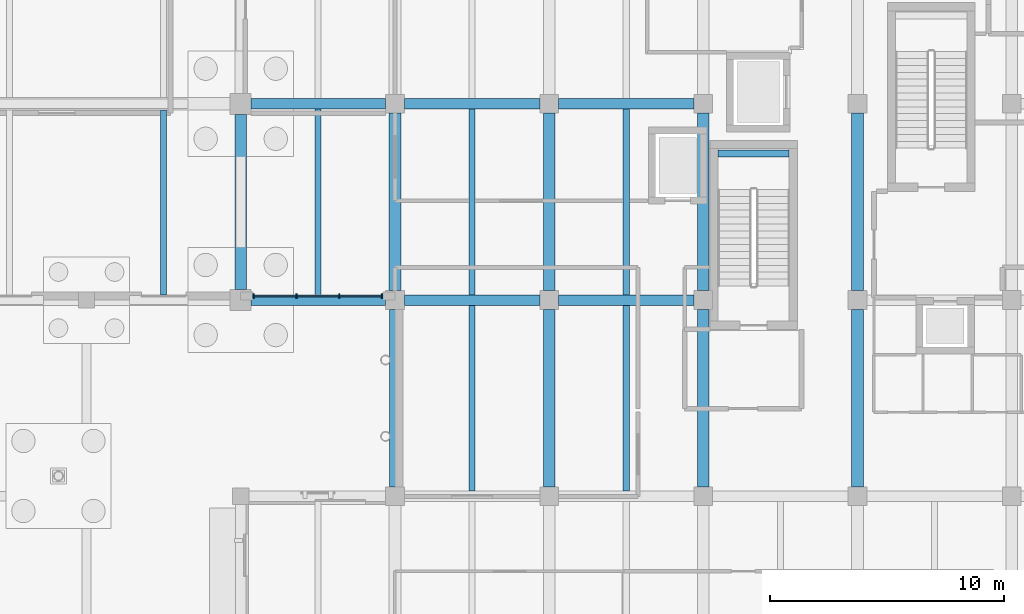
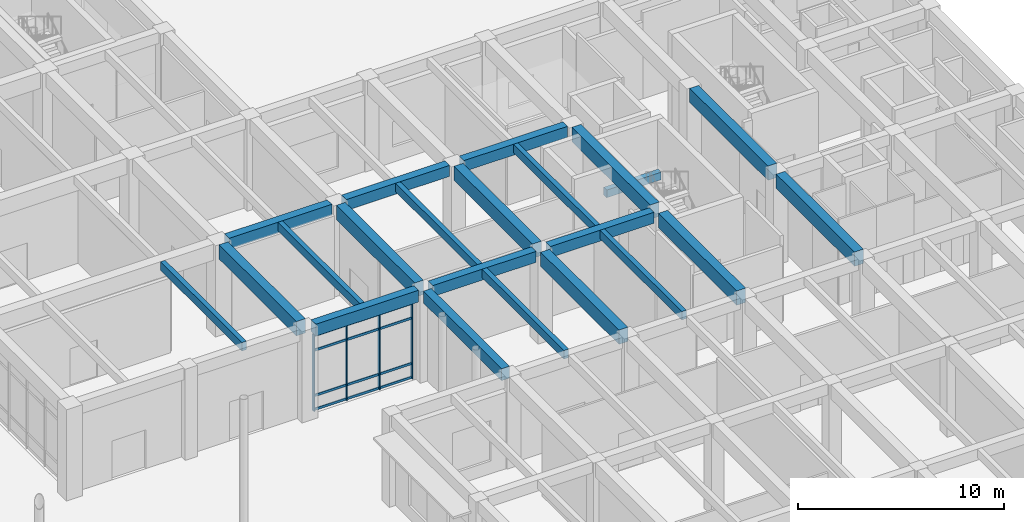
# One storey, part 37 of 82: 22 beams, 8 members, 1 element without a shape of its own.
"""IFC4 building model written with IfcOpenShell, lengths in metres."""

import ifcopenshell
import ifcopenshell.guid

model = None  # the IFC model being written
_history = None  # IfcOwnerHistory: only IFC2X3 demands one
_inside = {}  # id of a spatial element -> (the spatial element, [elements in it])
_under = {}  # id of a project, library or spatial element -> (it, [spatial elements below it])
_declared = {}  # id of a project -> (the project, [libraries it declares])
_typed = {}  # id of a type object -> (the type object, [elements of that type])
_made_of = {}  # id of a material, layer set ... -> (it, [elements and type objects made of it])


def new_model(schema):
    """Start an empty IFC model of exactly this schema.

    Asked for "IFC4X3", IfcOpenShell would pick the latest addendum, in which some entities
    have other attributes; the version numbers below select the first issue.
    IFC2X3 requires an IfcOwnerHistory on every rooted entity: one is made here for all.
    """
    global model, _history
    if schema == "IFC4X3":
        model = ifcopenshell.file(schema_version=(4, 3, 0, 0))
    else:
        model = ifcopenshell.file(schema=schema)
    _inside.clear()
    _under.clear()
    _declared.clear()
    _typed.clear()
    _made_of.clear()
    _history = None
    if model.schema == "IFC2X3":
        org = make("IfcOrganization", Name="unknown")
        user = make(
            "IfcPersonAndOrganization",
            ThePerson=make("IfcPerson", FamilyName="unknown"),
            TheOrganization=org,
        )
        app = make(
            "IfcApplication",
            ApplicationDeveloper=org,
            Version="unknown",
            ApplicationFullName="unknown",
            ApplicationIdentifier="unknown",
        )
        _history = make(
            "IfcOwnerHistory",
            OwningUser=user,
            OwningApplication=app,
            ChangeAction="ADDED",
            CreationDate=0,
        )
    return model


def make(cls, **values):
    """One entity of the class cls with the attributes given. An attribute that is None is left unset."""
    return model.create_entity(
        cls, **{name: value for name, value in values.items() if value is not None}
    )


def rooted(cls, **values):
    """An entity with a GlobalId (a new one), such as an element, a storey or a relation."""
    return make(cls, GlobalId=ifcopenshell.guid.new(), OwnerHistory=_history, **values)


def si_unit(unit_type, name, prefix=None):
    """IfcSIUnit, for example si_unit("LENGTHUNIT", "METRE", prefix="MILLI")."""
    return make("IfcSIUnit", UnitType=unit_type, Prefix=prefix, Name=name)


def assignment(units):
    """IfcUnitAssignment: the units of a project."""
    return None if units is None else make("IfcUnitAssignment", Units=units)


def point(xyz):
    """IfcCartesianPoint."""
    return None if xyz is None else make("IfcCartesianPoint", Coordinates=xyz)


def direction(xyz):
    """IfcDirection."""
    return None if xyz is None else make("IfcDirection", DirectionRatios=xyz)


def frame(location, z_axis=None, x_axis=None):
    """IfcAxis2Placement3D, a coordinate frame: its origin and axes. An axis left out is left unset."""
    return make(
        "IfcAxis2Placement3D",
        Location=point(location),
        Axis=direction(z_axis),
        RefDirection=direction(x_axis),
    )


def frame_2d(location, x_axis=None):
    """IfcAxis2Placement2D, a coordinate frame in the plane: its origin and x axis."""
    return make(
        "IfcAxis2Placement2D", Location=point(location), RefDirection=direction(x_axis)
    )


def origin():
    """The frame at (0, 0, 0) with its axes left unset."""
    return frame((0.0, 0.0, 0.0))


def origin_2d():
    """The frame at (0, 0) in the plane with its x axis left unset."""
    return frame_2d((0.0, 0.0))


def place(relative_to, where):
    """IfcLocalPlacement: puts the frame where relative to a parent placement (None: the world)."""
    return make(
        "IfcLocalPlacement", PlacementRelTo=relative_to, RelativePlacement=where
    )


def context(
    kind, dimensions, precision=None, world=None, true_north=None, identifier=None
):
    """IfcGeometricRepresentationContext, for example the 3D "Model" context."""
    return make(
        "IfcGeometricRepresentationContext",
        ContextIdentifier=identifier,
        ContextType=kind,
        CoordinateSpaceDimension=dimensions,
        Precision=precision,
        WorldCoordinateSystem=world,
        TrueNorth=true_north,
    )


def subcontext(parent, identifier, kind, view, scale=None):
    """IfcGeometricRepresentationSubContext, for example "Body" below "Model"."""
    return make(
        "IfcGeometricRepresentationSubContext",
        ContextIdentifier=identifier,
        ContextType=kind,
        ParentContext=parent,
        TargetScale=scale,
        TargetView=view,
    )


def project(units=None, contexts=None):
    """IfcProject with its units and contexts."""
    return rooted(
        "IfcProject",
        Name="project",
        RepresentationContexts=contexts,
        UnitsInContext=assignment(units),
    )


def spatial(cls, under=None, at=None, **own):
    """A site, building, storey or space (cls), placed at a placement, below another one or the project."""
    s = rooted(cls, ObjectPlacement=at, **own)
    if under is not None:
        _under.setdefault(under.id(), (under, []))[1].append(s)
    return s


def profile(cls, at=None, kind="AREA", **sizes):
    """A parametric profile (cls). Its sizes go by their IFC names, for example OverallWidth=200.0."""
    return make(cls, ProfileType=kind, Position=at, **sizes)


def rectangle(**sizes):
    """IfcRectangleProfileDef."""
    return profile("IfcRectangleProfileDef", **sizes)


def extrude(swept, where, along, depth):
    """IfcExtrudedAreaSolid: the profile swept, set in the frame where, extruded along a direction by depth."""
    return make(
        "IfcExtrudedAreaSolid",
        SweptArea=swept,
        Position=where,
        ExtrudedDirection=direction(along),
        Depth=depth,
    )


def shape(context_of_items, identifier, shape_type, items):
    """IfcShapeRepresentation: the items that make up one representation, for example the "Body"."""
    return make(
        "IfcShapeRepresentation",
        ContextOfItems=context_of_items,
        RepresentationIdentifier=identifier,
        RepresentationType=shape_type,
        Items=items,
    )


def material(Name=None, Category=None):
    """IfcMaterial."""
    return make("IfcMaterial", Name=Name, Category=Category)


def layer(
    of_material, thickness, ventilated=None, Name=None, Category=None, Priority=None
):
    """IfcMaterialLayer: one layer of a wall or slab, of a material (None: an air gap)."""
    return make(
        "IfcMaterialLayer",
        Material=of_material,
        LayerThickness=thickness,
        IsVentilated=ventilated,
        Name=Name,
        Category=Category,
        Priority=Priority,
    )


def layer_set(layers, Name=None):
    """IfcMaterialLayerSet."""
    return make("IfcMaterialLayerSet", MaterialLayers=layers, LayerSetName=Name)


def material_profile(
    of_material, cross_section, Name=None, Category=None, Priority=None
):
    """IfcMaterialProfile: a cross section and its material."""
    return make(
        "IfcMaterialProfile",
        Name=Name,
        Material=of_material,
        Profile=cross_section,
        Priority=Priority,
        Category=Category,
    )


def profile_set(profiles, Name=None, composite=None):
    """IfcMaterialProfileSet."""
    return make(
        "IfcMaterialProfileSet",
        Name=Name,
        MaterialProfiles=profiles,
        CompositeProfile=composite,
    )


def made_of(thing, what):
    """Note that an element or type object is made of a material, layer set ...; save() writes the relation."""
    if what is not None:
        _made_of.setdefault(what.id(), (what, []))[1].append(thing)
    return thing


def type_object(cls, material=None, **own):
    """A type object (cls), such as IfcWallType, which elements share."""
    return made_of(rooted(cls, **own), material)


def element(
    cls,
    number,
    at=None,
    inside=None,
    cuts=None,
    type_object=None,
    material=None,
    context=None,
    identifier="Body",
    shape_type=None,
    held_by="IfcProductDefinitionShape",
    body=None,
    shapes=None,
    **own,
):
    """One element of the class cls, such as IfcWall. Its Tag is "e" and its number.

    at: its placement. inside: the storey or other place that contains it. cuts: it is an
    opening in that element (IfcRelVoidsElement). A single representation is given by context,
    identifier, shape_type and body (its items); several are given by shapes. held_by: the class
    of the entity that holds the representations. save() writes the other relations.
    """
    e = rooted(cls, Tag="e%d" % number, ObjectPlacement=at, **own)
    if body is not None:
        shapes = [shape(context, identifier, shape_type, body)]
    if shapes is not None:
        e.Representation = make(held_by, Representations=shapes)
    if inside is not None:
        _inside.setdefault(inside.id(), (inside, []))[1].append(e)
    if cuts is not None:
        rooted(
            "IfcRelVoidsElement", RelatingBuildingElement=cuts, RelatedOpeningElement=e
        )
    if type_object is not None:
        _typed.setdefault(type_object.id(), (type_object, []))[1].append(e)
    return made_of(e, material)


def aggregate(whole, parts):
    """IfcRelAggregates: a whole, such as a stair, and the parts it consists of."""
    return rooted("IfcRelAggregates", RelatingObject=whole, RelatedObjects=parts)


def save(model, path):
    """Write the relations noted so far, then the file.

    IfcRelAggregates (storeys below a building ...), IfcRelContainedInSpatialStructure (elements
    in a storey), IfcRelDefinesByType, IfcRelAssociatesMaterial and IfcRelDeclares: one each for
    every whole, place, type object, material and project.
    """
    for whole, parts in _under.values():
        aggregate(whole, parts)
    for where, things in _inside.values():
        rooted(
            "IfcRelContainedInSpatialStructure",
            RelatedElements=things,
            RelatingStructure=where,
        )
    for kind, things in _typed.values():
        rooted("IfcRelDefinesByType", RelatedObjects=things, RelatingType=kind)
    for what, things in _made_of.values():
        rooted("IfcRelAssociatesMaterial", RelatedObjects=things, RelatingMaterial=what)
    for by, libraries in _declared.values():
        rooted("IfcRelDeclares", RelatingContext=by, RelatedDefinitions=libraries)
    model.write(path)


model = new_model("IFC4")

# Units and contexts
model_context = context("Model", 3, precision=1e-05, world=origin(), true_north=direction((0.0, 1.0)))
body_context = subcontext(model_context, "Body", "Model", "MODEL_VIEW")
ifc_project = project(units=[si_unit("LENGTHUNIT", "METRE"), si_unit("AREAUNIT", "SQUARE_METRE"), si_unit("VOLUMEUNIT", "CUBIC_METRE"), si_unit("PLANEANGLEUNIT", "RADIAN"), si_unit("MASSUNIT", "GRAM", prefix="KILO")], contexts=[model_context])

# Site, building, storey
site_placement = place(None, origin())
site = spatial("IfcSite", under=ifc_project, at=site_placement, CompositionType="ELEMENT")
building_placement = place(site_placement, origin())
building = spatial("IfcBuilding", under=site, at=building_placement, Name="Kolvaren Faculty of Natural Sciences", CompositionType="ELEMENT")
storey_placement = place(building_placement, origin())
storey = spatial("IfcBuildingStorey", under=building, at=storey_placement, Name="L00", CompositionType="ELEMENT", Elevation=0.0)

# Beam
ifc_material_1 = material(Name="Concrete C40/50", Category="concrete")
ifc_material_profile_1 = material_profile(ifc_material_1, rectangle(XDim=0.300048828125, YDim=0.449951171875, at=origin_2d()), Name="RC LNT 300x450")
ifc_profile_set_1 = profile_set([ifc_material_profile_1], Name="Concrete C40/50")
beam_type_1 = type_object("IfcBeamType", Name="CoreCouplingLintel_300x450", PredefinedType="LINTEL", material=ifc_profile_set_1)
beam_1_placement = place(storey_placement, frame((152.625, 73.679931640625, 2.27490234375), z_axis=(1.0, 0.0, 0.0), x_axis=(0.0, 1.0, 0.0)))
element("IfcBeam", 1, at=beam_1_placement, inside=storey, type_object=beam_type_1, Name="L00 ST-2 half-landing support lintel", PredefinedType="LINTEL", context=body_context, shape_type="SweptSolid", body=[
    extrude(rectangle(XDim=0.300048828125, YDim=0.449951171875, at=origin_2d()), origin(), (0.0, 0.0, 1.0), 3.050048828125),
])

# Curtain wall, members
ifc_material_2 = material(Name="Thermally broken anodised aluminium framing", Category="aluminium")
ifc_layer = layer(ifc_material_2, 0.179931640625)
ifc_layer_set = layer_set([ifc_layer], Name="Thermally broken anodised aluminium framing")
curtain_wall_type = type_object("IfcCurtainWallType", Name="CommonsCurtainWall_CW02", PredefinedType="NOTDEFINED", material=ifc_layer_set)
curtain_wall_placement = place(storey_placement, origin())
curtain_wall = element("IfcCurtainWall", 2, at=curtain_wall_placement, inside=storey, type_object=curtain_wall_type, Name="L00 unitised curtain wall CW-02 (CW-L00-013)", PredefinedType="NOTDEFINED")
ifc_material_profile_2 = material_profile(ifc_material_2, rectangle(XDim=0.06005859375, YDim=0.179931640625, at=origin_2d()), Name="ALU MUL 60x180")
ifc_profile_set_2 = profile_set([ifc_material_profile_2], Name="Thermally broken anodised aluminium framing")
member_type_1 = type_object("IfcMemberType", Name="CurtainMullion_60x180", PredefinedType="MULLION", material=ifc_profile_set_2)
member_1_placement = place(storey_placement, frame((138.25, 67.570068359375, 0.0), z_axis=(0.0, 0.0, 1.0), x_axis=(-1.0, 0.0, 0.0)))
member_1 = element("IfcMember", 3, at=member_1_placement, type_object=member_type_1, Name="CW-L00-013 vertical mullion 1", PredefinedType="MULLION", context=body_context, shape_type="SweptSolid", body=[
    extrude(rectangle(XDim=0.06005859375, YDim=0.179931640625, at=origin_2d()), origin(), (0.0, 0.0, 1.0), 4.534912109375),
])
member_2_placement = place(storey_placement, frame((136.416748046875, 67.570068359375, 0.0), z_axis=(0.0, 0.0, 1.0), x_axis=(-1.0, 0.0, 0.0)))
member_2 = element("IfcMember", 4, at=member_2_placement, type_object=member_type_1, Name="CW-L00-013 vertical mullion 2", PredefinedType="MULLION", context=body_context, shape_type="SweptSolid", body=[
    extrude(rectangle(XDim=0.06005859375, YDim=0.179931640625, at=origin_2d()), origin(), (0.0, 0.0, 1.0), 4.534912109375),
])
member_3_placement = place(storey_placement, frame((134.583251953125, 67.570068359375, 0.0), z_axis=(0.0, 0.0, 1.0), x_axis=(-1.0, 0.0, 0.0)))
member_3 = element("IfcMember", 5, at=member_3_placement, type_object=member_type_1, Name="CW-L00-013 vertical mullion 3", PredefinedType="MULLION", context=body_context, shape_type="SweptSolid", body=[
    extrude(rectangle(XDim=0.06005859375, YDim=0.179931640625, at=origin_2d()), origin(), (0.0, 0.0, 1.0), 4.534912109375),
])
member_4_placement = place(storey_placement, frame((132.75, 67.570068359375, 0.0), z_axis=(0.0, 0.0, 1.0), x_axis=(-1.0, 0.0, 0.0)))
member_4 = element("IfcMember", 6, at=member_4_placement, type_object=member_type_1, Name="CW-L00-013 vertical mullion 4", PredefinedType="MULLION", context=body_context, shape_type="SweptSolid", body=[
    extrude(rectangle(XDim=0.06005859375, YDim=0.179931640625, at=origin_2d()), origin(), (0.0, 0.0, 1.0), 4.534912109375),
])
ifc_material_profile_3 = material_profile(ifc_material_2, rectangle(XDim=0.06005859375, YDim=0.139892578125, at=origin_2d()), Name="ALU TRN 60x140")
ifc_profile_set_3 = profile_set([ifc_material_profile_3], Name="Thermally broken anodised aluminium framing")
member_type_2 = type_object("IfcMemberType", Name="CurtainTransom_60x140", PredefinedType="USERDEFINED", material=ifc_profile_set_3)
member_5_placement = place(storey_placement, frame((138.25, 67.570068359375, 0.080078125), z_axis=(-1.0, 0.0, 0.0), x_axis=(0.0, -1.0, 0.0)))
member_5 = element("IfcMember", 7, at=member_5_placement, type_object=member_type_2, Name="CW-L00-013 horizontal transom 1", ObjectType="TRANSOM", PredefinedType="USERDEFINED", context=body_context, shape_type="SweptSolid", body=[
    extrude(rectangle(XDim=0.06005859375, YDim=0.139892578125, at=origin_2d()), origin(), (0.0, 0.0, 1.0), 5.5),
])
member_6_placement = place(storey_placement, frame((138.25, 67.570068359375, 0.89990234375), z_axis=(-1.0, 0.0, 0.0), x_axis=(0.0, -1.0, 0.0)))
member_6 = element("IfcMember", 8, at=member_6_placement, type_object=member_type_2, Name="CW-L00-013 horizontal transom 2", ObjectType="TRANSOM", PredefinedType="USERDEFINED", context=body_context, shape_type="SweptSolid", body=[
    extrude(rectangle(XDim=0.06005859375, YDim=0.139892578125, at=origin_2d()), origin(), (0.0, 0.0, 1.0), 5.5),
])
member_7_placement = place(storey_placement, frame((138.25, 67.570068359375, 3.5849609375), z_axis=(-1.0, 0.0, 0.0), x_axis=(0.0, -1.0, 0.0)))
member_7 = element("IfcMember", 9, at=member_7_placement, type_object=member_type_2, Name="CW-L00-013 horizontal transom 3", ObjectType="TRANSOM", PredefinedType="USERDEFINED", context=body_context, shape_type="SweptSolid", body=[
    extrude(rectangle(XDim=0.06005859375, YDim=0.139892578125, at=origin_2d()), origin(), (0.0, 0.0, 1.0), 5.5),
])
member_8_placement = place(storey_placement, frame((138.25, 67.570068359375, 4.455078125), z_axis=(-1.0, 0.0, 0.0), x_axis=(0.0, -1.0, 0.0)))
member_8 = element("IfcMember", 10, at=member_8_placement, type_object=member_type_2, Name="CW-L00-013 horizontal transom 4", ObjectType="TRANSOM", PredefinedType="USERDEFINED", context=body_context, shape_type="SweptSolid", body=[
    extrude(rectangle(XDim=0.06005859375, YDim=0.139892578125, at=origin_2d()), origin(), (0.0, 0.0, 1.0), 5.5),
])
aggregate(curtain_wall, [member_1, member_2, member_3, member_4, member_5, member_6, member_7, member_8])

# Beams
ifc_material_3 = material(Name="Concrete C35/45", Category="concrete")
ifc_material_profile_4 = material_profile(ifc_material_3, rectangle(XDim=0.449951171875, YDim=0.64990234375, at=origin_2d()), Name="RC BM 450x650")
ifc_profile_set_4 = profile_set([ifc_material_profile_4], Name="Concrete C35/45")
beam_type_2 = type_object("IfcBeamType", Name="GridBeam_450x650", PredefinedType="BEAM", material=ifc_profile_set_4)
for number, where, z_axis, x_axis, name in (
    (11, (139.199951171875, 67.39990234375, 5.074951171875), (1.0, 0.0, 0.0), (0.0, 1.0, 0.0), "L00 beam BM-65 on grid J"),
    (12, (145.800048828125, 67.39990234375, 5.074951171875), (1.0, 0.0, 0.0), (0.0, 1.0, 0.0), "L00 beam BM-65 on grid J"),
):
    element("IfcBeam", number, at=place(storey_placement, frame(where, z_axis=z_axis, x_axis=x_axis)), inside=storey, type_object=beam_type_2, Name=name, PredefinedType="BEAM", context=body_context, shape_type="SweptSolid", body=[
        extrude(rectangle(XDim=0.449951171875, YDim=0.64990234375, at=origin_2d()), origin(), (0.0, 0.0, 1.0), 5.800048828125),
    ])
beam_2_placement = place(storey_placement, frame((132.64990234375, 75.800048828125, 5.074951171875), z_axis=(1.0, 0.0, 0.0), x_axis=(0.0, 1.0, 0.0)))
element("IfcBeam", 13, at=beam_2_placement, inside=storey, type_object=beam_type_2, Name="L00 beam BM-65 on grid K", PredefinedType="BEAM", context=body_context, shape_type="SweptSolid", body=[
    extrude(rectangle(XDim=0.449951171875, YDim=0.64990234375, at=origin_2d()), origin(), (0.0, 0.0, 1.0), 5.75),
])
for number, where, z_axis, x_axis, name in (
    (14, (139.199951171875, 75.800048828125, 5.074951171875), (1.0, 0.0, 0.0), (0.0, 1.0, 0.0), "L00 beam BM-65 on grid K"),
    (15, (145.800048828125, 75.800048828125, 5.074951171875), (1.0, 0.0, 0.0), (0.0, 1.0, 0.0), "L00 beam BM-65 on grid K"),
):
    element("IfcBeam", number, at=place(storey_placement, frame(where, z_axis=z_axis, x_axis=x_axis)), inside=storey, type_object=beam_type_2, Name=name, PredefinedType="BEAM", context=body_context, shape_type="SweptSolid", body=[
        extrude(rectangle(XDim=0.449951171875, YDim=0.64990234375, at=origin_2d()), origin(), (0.0, 0.0, 1.0), 5.800048828125),
    ])
ifc_material_profile_5 = material_profile(ifc_material_3, rectangle(XDim=0.260009765625, YDim=0.5, at=origin_2d()), Name="RC JST 260x500")
ifc_profile_set_5 = profile_set([ifc_material_profile_5], Name="Concrete C35/45")
beam_type_3 = type_object("IfcBeamType", Name="LabRibJoist_260x500", PredefinedType="JOIST", material=ifc_profile_set_5)
beam_3_placement = place(storey_placement, frame((128.89990234375, 67.625, 5.14990234375), z_axis=(0.0, 1.0, 0.0), x_axis=(-1.0, 0.0, 0.0)))
element("IfcBeam", 16, at=beam_3_placement, inside=storey, type_object=beam_type_3, Name="L00 ribbed laboratory slab joist JS-50", PredefinedType="JOIST", context=body_context, shape_type="SweptSolid", body=[
    extrude(rectangle(XDim=0.260009765625, YDim=0.5, at=origin_2d()), origin(), (0.0, 0.0, 1.0), 7.89990234375),
])
for number, where, z_axis, x_axis, name in (
    (17, (135.5, 67.625, 5.14990234375), (0.0, 1.0, 0.0), (-1.0, 0.0, 0.0), "L00 ribbed laboratory slab joist JS-50"),
    (18, (142.10009765625, 59.22509765625, 5.14990234375), (0.0, 1.0, 0.0), (-1.0, 0.0, 0.0), "L00 ribbed laboratory slab joist JS-50"),
    (19, (142.10009765625, 67.625, 5.14990234375), (0.0, 1.0, 0.0), (-1.0, 0.0, 0.0), "L00 ribbed laboratory slab joist JS-50"),
    (20, (148.699951171875, 59.22509765625, 5.14990234375), (0.0, 1.0, 0.0), (-1.0, 0.0, 0.0), "L00 ribbed laboratory slab joist JS-50"),
    (21, (148.699951171875, 67.625, 5.14990234375), (0.0, 1.0, 0.0), (-1.0, 0.0, 0.0), "L00 ribbed laboratory slab joist JS-50"),
):
    element("IfcBeam", number, at=place(storey_placement, frame(where, z_axis=z_axis, x_axis=x_axis)), inside=storey, type_object=beam_type_3, Name=name, PredefinedType="JOIST", context=body_context, shape_type="SweptSolid", body=[
        extrude(rectangle(XDim=0.260009765625, YDim=0.5, at=origin_2d()), origin(), (0.0, 0.0, 1.0), 7.949951171875),
    ])
ifc_material_profile_6 = material_profile(ifc_material_3, rectangle(XDim=0.449951171875, YDim=0.699951171875, at=origin_2d()), Name="RC SP 450x700")
ifc_profile_set_6 = profile_set([ifc_material_profile_6], Name="Concrete C35/45")
beam_type_4 = type_object("IfcBeamType", Name="PerimeterSpandrel_450x700", PredefinedType="SPANDREL", material=ifc_profile_set_6)
beam_4_placement = place(storey_placement, frame((132.64990234375, 67.39990234375, 5.050048828125), z_axis=(1.0, 0.0, 0.0), x_axis=(0.0, 1.0, 0.0)))
element("IfcBeam", 22, at=beam_4_placement, inside=storey, type_object=beam_type_4, Name="L00 spandrel SP-70 on grid J", PredefinedType="SPANDREL", context=body_context, shape_type="SweptSolid", body=[
    extrude(rectangle(XDim=0.449951171875, YDim=0.699951171875, at=origin_2d()), origin(), (0.0, 0.0, 1.0), 5.75),
])
beam_5_placement = place(storey_placement, frame((138.800048828125, 59.39990234375, 5.050048828125), z_axis=(0.0, 1.0, 0.0), x_axis=(-1.0, 0.0, 0.0)))
element("IfcBeam", 23, at=beam_5_placement, inside=storey, type_object=beam_type_4, Name="L00 girder SP-70 on grid 22", PredefinedType="SPANDREL", context=body_context, shape_type="SweptSolid", body=[
    extrude(rectangle(XDim=0.449951171875, YDim=0.699951171875, at=origin_2d()), origin(), (0.0, 0.0, 1.0), 7.60009765625),
])
ifc_material_profile_7 = material_profile(ifc_material_3, rectangle(XDim=0.5, YDim=0.85009765625, at=origin_2d()), Name="RC BM 500x850")
ifc_profile_set_7 = profile_set([ifc_material_profile_7], Name="Concrete C35/45")
beam_type_5 = type_object("IfcBeamType", Name="PrimaryGirder_500x850", PredefinedType="BEAM", material=ifc_profile_set_7)
beam_6_placement = place(storey_placement, frame((132.199951171875, 67.85009765625, 4.97509765625), z_axis=(0.0, 1.0, 0.0), x_axis=(-1.0, 0.0, 0.0)))
element("IfcBeam", 24, at=beam_6_placement, inside=storey, type_object=beam_type_5, Name="L00 girder BG-85 on grid 21", PredefinedType="BEAM", context=body_context, shape_type="SweptSolid", body=[
    extrude(rectangle(XDim=0.5, YDim=0.85009765625, at=origin_2d()), origin(), (0.0, 0.0, 1.0), 7.5),
])
beam_7_placement = place(storey_placement, frame((138.800048828125, 67.800048828125, 4.97509765625), z_axis=(0.0, 1.0, 0.0), x_axis=(-1.0, 0.0, 0.0)))
element("IfcBeam", 25, at=beam_7_placement, inside=storey, type_object=beam_type_5, Name="L00 girder BG-85 on grid 22", PredefinedType="BEAM", context=body_context, shape_type="SweptSolid", body=[
    extrude(rectangle(XDim=0.5, YDim=0.85009765625, at=origin_2d()), origin(), (0.0, 0.0, 1.0), 7.599853515625),
])
beam_8_placement = place(storey_placement, frame((145.39990234375, 59.39990234375, 4.97509765625), z_axis=(0.0, 1.0, 0.0), x_axis=(-1.0, 0.0, 0.0)))
element("IfcBeam", 26, at=beam_8_placement, inside=storey, type_object=beam_type_5, Name="L00 girder BG-85 on grid 23", PredefinedType="BEAM", context=body_context, shape_type="SweptSolid", body=[
    extrude(rectangle(XDim=0.5, YDim=0.85009765625, at=origin_2d()), origin(), (0.0, 0.0, 1.0), 7.60009765625),
])
beam_9_placement = place(storey_placement, frame((145.39990234375, 67.800048828125, 4.97509765625), z_axis=(0.0, 1.0, 0.0), x_axis=(-1.0, 0.0, 0.0)))
element("IfcBeam", 27, at=beam_9_placement, inside=storey, type_object=beam_type_5, Name="L00 girder BG-85 on grid 23", PredefinedType="BEAM", context=body_context, shape_type="SweptSolid", body=[
    extrude(rectangle(XDim=0.5, YDim=0.85009765625, at=origin_2d()), origin(), (0.0, 0.0, 1.0), 7.599853515625),
])
beam_10_placement = place(storey_placement, frame((152.0, 59.39990234375, 4.97509765625), z_axis=(0.0, 1.0, 0.0), x_axis=(-1.0, 0.0, 0.0)))
element("IfcBeam", 28, at=beam_10_placement, inside=storey, type_object=beam_type_5, Name="L00 girder BG-85 on grid 24", PredefinedType="BEAM", context=body_context, shape_type="SweptSolid", body=[
    extrude(rectangle(XDim=0.5, YDim=0.85009765625, at=origin_2d()), origin(), (0.0, 0.0, 1.0), 7.60009765625),
])
beam_11_placement = place(storey_placement, frame((152.0, 67.800048828125, 4.97509765625), z_axis=(0.0, 1.0, 0.0), x_axis=(-1.0, 0.0, 0.0)))
element("IfcBeam", 29, at=beam_11_placement, inside=storey, type_object=beam_type_5, Name="L00 girder BG-85 on grid 24", PredefinedType="BEAM", context=body_context, shape_type="SweptSolid", body=[
    extrude(rectangle(XDim=0.5, YDim=0.85009765625, at=origin_2d()), origin(), (0.0, 0.0, 1.0), 7.599853515625),
])
beam_12_placement = place(storey_placement, frame((158.60009765625, 59.39990234375, 4.97509765625), z_axis=(0.0, 1.0, 0.0), x_axis=(-1.0, 0.0, 0.0)))
element("IfcBeam", 30, at=beam_12_placement, inside=storey, type_object=beam_type_5, Name="L00 girder BG-85 on grid 25", PredefinedType="BEAM", context=body_context, shape_type="SweptSolid", body=[
    extrude(rectangle(XDim=0.5, YDim=0.85009765625, at=origin_2d()), origin(), (0.0, 0.0, 1.0), 7.60009765625),
])
beam_13_placement = place(storey_placement, frame((158.60009765625, 67.800048828125, 4.97509765625), z_axis=(0.0, 1.0, 0.0), x_axis=(-1.0, 0.0, 0.0)))
element("IfcBeam", 31, at=beam_13_placement, inside=storey, type_object=beam_type_5, Name="L00 girder BG-85 on grid 25", PredefinedType="BEAM", context=body_context, shape_type="SweptSolid", body=[
    extrude(rectangle(XDim=0.5, YDim=0.85009765625, at=origin_2d()), origin(), (0.0, 0.0, 1.0), 7.599853515625),
])

save(model, "model.ifc")
